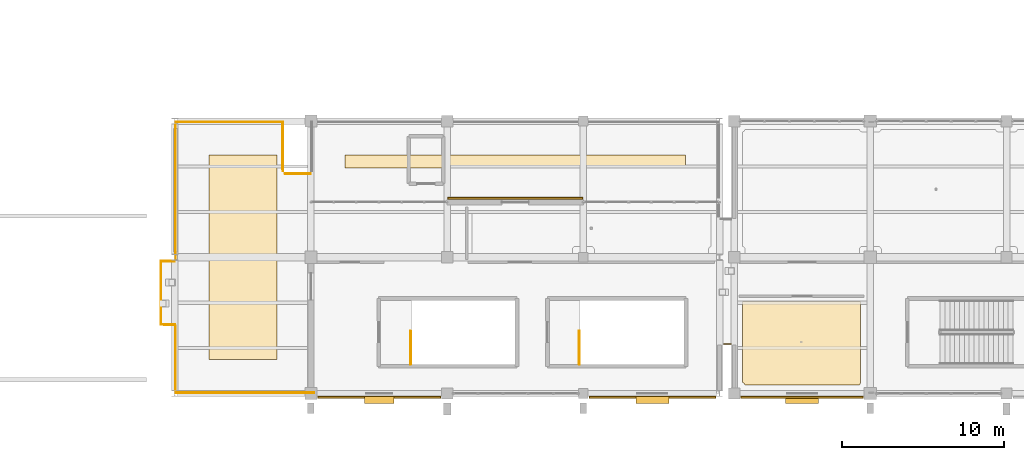
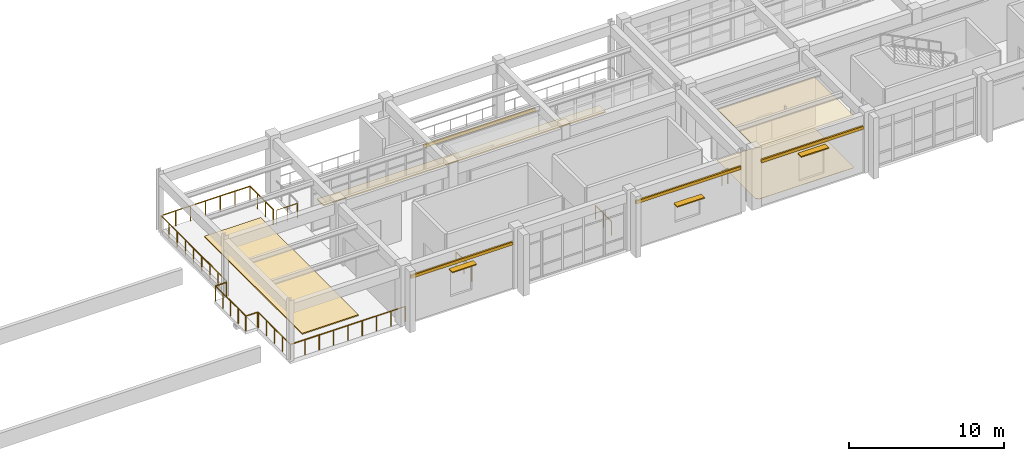
# One storey, part 85 of 98: 12 railings, 8 coverings, 3 shading devices.
"""IFC4 building model written with IfcOpenShell, lengths in metres."""

from ifc_helpers import new_model, si_unit, direction, frame, origin, origin_2d, place, context, subcontext, project, spatial, polyline, rectangle, circle, outline, extrude, material, layer, layer_set, type_object, element, save


model = new_model("IFC4")

# Units and contexts
model_context = context("Model", 3, precision=1e-05, world=origin(), true_north=direction((0.0, 1.0)))
body_context = subcontext(model_context, "Body", "Model", "MODEL_VIEW")
ifc_project = project(units=[si_unit("LENGTHUNIT", "METRE"), si_unit("AREAUNIT", "SQUARE_METRE"), si_unit("VOLUMEUNIT", "CUBIC_METRE"), si_unit("PLANEANGLEUNIT", "RADIAN"), si_unit("MASSUNIT", "GRAM", prefix="KILO")], contexts=[model_context])

# Site, building, storey
site_placement = place(None, origin())
site = spatial("IfcSite", under=ifc_project, at=site_placement, CompositionType="ELEMENT")
building_placement = place(site_placement, origin())
building = spatial("IfcBuilding", under=site, at=building_placement, Name="Canglan Escarpment Cableway Terminal", CompositionType="ELEMENT")
storey_placement = place(building_placement, frame((0.0, 0.0, 9.60009765625)))
storey = spatial("IfcBuildingStorey", under=building, at=storey_placement, Name="L02", CompositionType="ELEMENT", Elevation=9.60009765625)

# Coverings
ifc_material_1 = material(Name="Moisture-resistant acoustic gypsum ceiling", Category="gypsum")
ifc_layer_1 = layer(ifc_material_1, 0.030029296875, Name="Moisture-resistant acoustic gypsum ceiling")
ifc_layer_set_1 = layer_set([ifc_layer_1], Name="Moisture-resistant acoustic gypsum ceiling")
covering_type_1 = type_object("IfcCoveringType", Name="COV-CEIL-GYPSUM-30", PredefinedType="CEILING", material=ifc_layer_set_1)
covering_1_placement = place(storey_placement, frame((0.0, 0.0, 4.02001953125)))
element("IfcCovering", 1, at=covering_1_placement, inside=storey, type_object=covering_type_1, Name="Botanical Herbarium Alcove suspended acoustic ceiling", PredefinedType="CEILING", context=body_context, shape_type="SweptSolid", body=[
    extrude(outline(polyline([(77.533203125, 8.667236328125), (77.531494140625, 8.66796875), (77.52978515625, 8.668701171875), (77.5283203125, 8.669921875), (77.52685546875, 8.6708984375), (77.525390625, 8.67236328125), (77.524169921875, 8.673583984375), (77.523193359375, 8.67529296875), (77.522216796875, 8.677001953125), (77.521484375, 8.6787109375), (77.520751953125, 8.680419921875), (77.5205078125, 8.68212890625), (77.52001953125, 8.68408203125), (77.52001953125, 8.68603515625), (77.52001953125, 13.659912109375), (77.52001953125, 13.662109375), (77.5205078125, 13.663818359375), (77.52099609375, 13.665771484375), (77.521484375, 13.667724609375), (77.5224609375, 13.66943359375), (77.5234375, 13.671142578125), (77.5244140625, 13.672607421875), (77.52587890625, 13.674072265625), (77.52734375, 13.675537109375), (77.52880859375, 13.676513671875), (77.530517578125, 13.677490234375), (77.5322265625, 13.678466796875), (77.5341796875, 13.67919921875), (77.5361328125, 13.6796875), (77.5380859375, 13.679931640625), (77.5400390625, 13.679931640625), (84.760009765625, 13.679931640625), (84.761962890625, 13.679931640625), (84.763916015625, 13.6796875), (84.765869140625, 13.67919921875), (84.767578125, 13.678466796875), (84.769287109375, 13.677490234375), (84.77099609375, 13.676513671875), (84.772705078125, 13.675537109375), (84.774169921875, 13.674072265625), (84.775390625, 13.672607421875), (84.776611328125, 13.671142578125), (84.777587890625, 13.66943359375), (84.778564453125, 13.667724609375), (84.779052734375, 13.665771484375), (84.779541015625, 13.663818359375), (84.77978515625, 13.662109375), (84.780029296875, 13.659912109375), (84.780029296875, 8.618408203125), (84.77978515625, 8.6162109375), (84.779541015625, 8.6142578125), (84.779052734375, 8.6123046875), (84.7783203125, 8.610107421875), (84.77734375, 8.6083984375), (84.776123046875, 8.606689453125), (84.77490234375, 8.60498046875), (84.770263671875, 8.599853515625), (84.76953125, 8.59912109375), (84.75732421875, 8.58251953125), (84.7568359375, 8.581787109375), (84.74609375, 8.564208984375), (84.745849609375, 8.563232421875), (84.737060546875, 8.544677734375), (84.736572265625, 8.543701171875), (84.73291015625, 8.533203125), (84.732177734375, 8.531494140625), (84.731201171875, 8.52978515625), (84.730224609375, 8.5283203125), (84.72900390625, 8.52685546875), (84.727783203125, 8.525390625), (84.726318359375, 8.524169921875), (84.724609375, 8.523193359375), (84.72314453125, 8.522216796875), (84.721435546875, 8.521484375), (84.719482421875, 8.520751953125), (84.7177734375, 8.5205078125), (84.7158203125, 8.52001953125), (84.714111328125, 8.52001953125), (77.68603515625, 8.52001953125), (77.68408203125, 8.52001953125), (77.68212890625, 8.5205078125), (77.680419921875, 8.520751953125), (77.6787109375, 8.521484375), (77.677001953125, 8.522216796875), (77.67529296875, 8.523193359375), (77.673583984375, 8.524169921875), (77.67236328125, 8.525390625), (77.6708984375, 8.52685546875), (77.669921875, 8.5283203125), (77.668701171875, 8.52978515625), (77.66796875, 8.531494140625), (77.667236328125, 8.533203125), (77.663330078125, 8.543701171875), (77.6630859375, 8.544677734375), (77.654296875, 8.563232421875), (77.65380859375, 8.564208984375), (77.643310546875, 8.581787109375), (77.642578125, 8.58251953125), (77.63037109375, 8.59912109375), (77.629638671875, 8.599853515625), (77.615966796875, 8.615234375), (77.615234375, 8.615966796875), (77.599853515625, 8.629638671875), (77.59912109375, 8.63037109375), (77.58251953125, 8.642578125), (77.581787109375, 8.643310546875), (77.564208984375, 8.65380859375), (77.563232421875, 8.654296875), (77.544677734375, 8.6630859375), (77.543701171875, 8.663330078125), (77.533203125, 8.667236328125)])), origin(), (0.0, 0.0, 1.0), 0.02978515625),
])
ifc_material_2 = material(Name="Carved classical limestone cornice", Category="masonry")
ifc_layer_2 = layer(ifc_material_2, 0.1201171875, Name="Carved classical limestone cornice")
ifc_layer_set_2 = layer_set([ifc_layer_2], Name="Carved classical limestone cornice")
covering_type_2 = type_object("IfcCoveringType", Name="COV-CORNICE-STONE", PredefinedType="CLADDING", material=ifc_layer_set_2)
covering_2_placement = place(storey_placement, frame((55.112548828125, 7.760009765625, 3.48486328125), z_axis=(0.0, 0.0, 1.0), x_axis=(1.0, 0.0, 0.0)))
element("IfcCovering", 2, at=covering_2_placement, inside=storey, type_object=covering_type_2, Name="Classical carved limestone cornice CL-01", PredefinedType="CLADDING", context=body_context, shape_type="SweptSolid", body=[
    extrude(rectangle(XDim=7.574951171875, YDim=0.1201171875, at=origin_2d()), origin(), (0.0, 0.0, 1.0), 0.239990234375),
])
covering_3_placement = place(storey_placement, frame((71.96240234375, 7.760009765625, 3.48486328125), z_axis=(0.0, 0.0, 1.0), x_axis=(1.0, 0.0, 0.0)))
element("IfcCovering", 3, at=covering_3_placement, inside=storey, type_object=covering_type_2, Name="Classical carved limestone cornice CL-01", PredefinedType="CLADDING", context=body_context, shape_type="SweptSolid", body=[
    extrude(rectangle(XDim=7.824951171875, YDim=0.1201171875, at=origin_2d()), origin(), (0.0, 0.0, 1.0), 0.239990234375),
])
covering_4_placement = place(storey_placement, frame((63.5, 20.0400390625, 3.4951171875), z_axis=(0.0, 0.0, 1.0), x_axis=(-1.0, 0.0, 0.0)))
element("IfcCovering", 4, at=covering_4_placement, inside=storey, type_object=covering_type_2, Name="Classical carved limestone cornice CL-01", PredefinedType="CLADDING", context=body_context, shape_type="SweptSolid", body=[
    extrude(rectangle(XDim=8.300048828125, YDim=0.1201171875, at=origin_2d()), origin(), (0.0, 0.0, 1.0), 0.239990234375),
])
covering_5_placement = place(storey_placement, frame((81.1875, 7.760009765625, 3.455078125), z_axis=(0.0, 0.0, 1.0), x_axis=(1.0, 0.0, 0.0)))
element("IfcCovering", 5, at=covering_5_placement, inside=storey, type_object=covering_type_2, Name="Classical carved limestone cornice CL-01", PredefinedType="CLADDING", context=body_context, shape_type="SweptSolid", body=[
    extrude(rectangle(XDim=7.574951171875, YDim=0.1201171875, at=origin_2d()), origin(), (0.0, 0.0, 1.0), 0.239990234375),
])
ifc_material_3 = material(Name="Polished mineral terrazzo flooring", Category="concrete")
ifc_layer_3 = layer(ifc_material_3, 0.02001953125, Name="Polished mineral terrazzo flooring")
ifc_layer_set_3 = layer_set([ifc_layer_3], Name="Polished mineral terrazzo flooring")
covering_type_3 = type_object("IfcCoveringType", Name="COV-FLR-TERRAZZO-20", PredefinedType="FLOORING", material=ifc_layer_set_3)
covering_6_placement = place(storey_placement, origin())
element("IfcCovering", 6, at=covering_6_placement, inside=storey, type_object=covering_type_3, Name="Botanical Herbarium Alcove stone floor finish", PredefinedType="FLOORING", context=body_context, shape_type="SweptSolid", body=[
    extrude(outline(polyline([(77.533203125, 8.667236328125), (77.531494140625, 8.66796875), (77.52978515625, 8.668701171875), (77.5283203125, 8.669921875), (77.52685546875, 8.6708984375), (77.525390625, 8.67236328125), (77.524169921875, 8.673583984375), (77.523193359375, 8.67529296875), (77.522216796875, 8.677001953125), (77.521484375, 8.6787109375), (77.520751953125, 8.680419921875), (77.5205078125, 8.68212890625), (77.52001953125, 8.68408203125), (77.52001953125, 8.68603515625), (77.52001953125, 13.659912109375), (77.52001953125, 13.662109375), (77.5205078125, 13.663818359375), (77.52099609375, 13.665771484375), (77.521484375, 13.667724609375), (77.5224609375, 13.66943359375), (77.5234375, 13.671142578125), (77.5244140625, 13.672607421875), (77.52587890625, 13.674072265625), (77.52734375, 13.675537109375), (77.52880859375, 13.676513671875), (77.530517578125, 13.677490234375), (77.5322265625, 13.678466796875), (77.5341796875, 13.67919921875), (77.5361328125, 13.6796875), (77.5380859375, 13.679931640625), (77.5400390625, 13.679931640625), (84.760009765625, 13.679931640625), (84.761962890625, 13.679931640625), (84.763916015625, 13.6796875), (84.765869140625, 13.67919921875), (84.767578125, 13.678466796875), (84.769287109375, 13.677490234375), (84.77099609375, 13.676513671875), (84.772705078125, 13.675537109375), (84.774169921875, 13.674072265625), (84.775390625, 13.672607421875), (84.776611328125, 13.671142578125), (84.777587890625, 13.66943359375), (84.778564453125, 13.667724609375), (84.779052734375, 13.665771484375), (84.779541015625, 13.663818359375), (84.77978515625, 13.662109375), (84.780029296875, 13.659912109375), (84.780029296875, 8.618408203125), (84.77978515625, 8.6162109375), (84.779541015625, 8.6142578125), (84.779052734375, 8.6123046875), (84.7783203125, 8.610107421875), (84.77734375, 8.6083984375), (84.776123046875, 8.606689453125), (84.77490234375, 8.60498046875), (84.770263671875, 8.599853515625), (84.76953125, 8.59912109375), (84.75732421875, 8.58251953125), (84.7568359375, 8.581787109375), (84.74609375, 8.564208984375), (84.745849609375, 8.563232421875), (84.737060546875, 8.544677734375), (84.736572265625, 8.543701171875), (84.73291015625, 8.533203125), (84.732177734375, 8.531494140625), (84.731201171875, 8.52978515625), (84.730224609375, 8.5283203125), (84.72900390625, 8.52685546875), (84.727783203125, 8.525390625), (84.726318359375, 8.524169921875), (84.724609375, 8.523193359375), (84.72314453125, 8.522216796875), (84.721435546875, 8.521484375), (84.719482421875, 8.520751953125), (84.7177734375, 8.5205078125), (84.7158203125, 8.52001953125), (84.714111328125, 8.52001953125), (77.68603515625, 8.52001953125), (77.68408203125, 8.52001953125), (77.68212890625, 8.5205078125), (77.680419921875, 8.520751953125), (77.6787109375, 8.521484375), (77.677001953125, 8.522216796875), (77.67529296875, 8.523193359375), (77.673583984375, 8.524169921875), (77.67236328125, 8.525390625), (77.6708984375, 8.52685546875), (77.669921875, 8.5283203125), (77.668701171875, 8.52978515625), (77.66796875, 8.531494140625), (77.667236328125, 8.533203125), (77.663330078125, 8.543701171875), (77.6630859375, 8.544677734375), (77.654296875, 8.563232421875), (77.65380859375, 8.564208984375), (77.643310546875, 8.581787109375), (77.642578125, 8.58251953125), (77.63037109375, 8.59912109375), (77.629638671875, 8.599853515625), (77.615966796875, 8.615234375), (77.615234375, 8.615966796875), (77.599853515625, 8.629638671875), (77.59912109375, 8.63037109375), (77.58251953125, 8.642578125), (77.581787109375, 8.643310546875), (77.564208984375, 8.65380859375), (77.563232421875, 8.654296875), (77.544677734375, 8.6630859375), (77.543701171875, 8.663330078125), (77.533203125, 8.667236328125)])), origin(), (0.0, 0.0, 1.0), 0.02001953125),
])
ifc_material_4 = material(Name="Planted extensive sedum green roof assembly", Category="earth")
ifc_layer_4 = layer(ifc_material_4, 0.090087890625, Name="Planted extensive sedum green roof assembly")
ifc_layer_set_4 = layer_set([ifc_layer_4], Name="Planted extensive sedum green roof assembly")
covering_type_4 = type_object("IfcCoveringType", Name="COV-ROOF-GREEN", PredefinedType="ROOFING", material=ifc_layer_set_4)
covering_7_placement = place(storey_placement, frame((46.699951171875, 16.39990234375, 0.0), z_axis=(0.0, 0.0, 1.0), x_axis=(1.0, 0.0, 0.0)))
element("IfcCovering", 7, at=covering_7_placement, inside=storey, type_object=covering_type_4, Name="Planted extensive sedum green roof garden RF-G1", PredefinedType="ROOFING", context=body_context, shape_type="SweptSolid", body=[
    extrude(rectangle(XDim=4.199951171875, YDim=12.60009765625, at=origin_2d()), origin(), (0.0, 0.0, 1.0), 0.090087890625),
])
covering_8_placement = place(storey_placement, frame((63.5, 22.300048828125, 0.0), z_axis=(0.0, 0.0, 1.0), x_axis=(1.0, 0.0, 0.0)))
element("IfcCovering", 8, at=covering_8_placement, inside=storey, type_object=covering_type_4, Name="Planted extensive sedum green roof garden RF-G1", PredefinedType="ROOFING", context=body_context, shape_type="SweptSolid", body=[
    extrude(rectangle(XDim=21.0, YDim=0.800048828125, at=origin_2d()), origin(), (0.0, 0.0, 1.0), 0.090087890625),
])

# Railings
ifc_material_5 = material(Name="Carved limestone and anodized bronze balustrade", Category="masonry")
railing_type_1 = type_object("IfcRailingType", Name="RL-EXT-BALUSTRADE-1200", PredefinedType="BALUSTRADE", material=ifc_material_5)
railing_1_placement = place(storey_placement, frame((41.650146484375, 12.25, 0.0)))
element("IfcRailing", 9, at=railing_1_placement, inside=storey, type_object=railing_type_1, Name="Classical terrace balustrade guard GD-01 (L02)", PredefinedType="BALUSTRADE", context=body_context, shape_type="SweptSolid", body=[
    extrude(circle(Radius=0.02392578125, at=origin_2d()), frame((0.0, 0.0, 1.17578125), z_axis=(-6.2633095e-05, 0.999999998039, 0.0), x_axis=(-0.999999998039, -6.2633095e-05, 0.0)), (0.0, 0.0, 1.0), 3.89794921875),
    extrude(circle(Radius=0.02099609375, at=origin_2d()), origin(), (0.0, 0.0, 1.0), 1.15185546875),
    extrude(circle(Radius=0.02099609375, at=origin_2d()), frame((0.0, 0.974609375, 0.0)), (0.0, 0.0, 1.0), 1.15185546875),
    extrude(circle(Radius=0.02099609375, at=origin_2d()), frame((0.0, 1.948974609375, 0.0)), (0.0, 0.0, 1.0), 1.15185546875),
    extrude(circle(Radius=0.02099609375, at=origin_2d()), frame((-0.000244140625, 2.92333984375, 0.0)), (0.0, 0.0, 1.0), 1.15185546875),
    extrude(circle(Radius=0.02099609375, at=origin_2d()), frame((-0.000244140625, 3.89794921875, 0.0)), (0.0, 0.0, 1.0), 1.15185546875),
])
railing_2_placement = place(storey_placement, frame((41.64990234375, 16.14794921875, 0.0)))
element("IfcRailing", 10, at=railing_2_placement, inside=storey, type_object=railing_type_1, Name="Classical terrace balustrade guard GD-01 (L02)", PredefinedType="BALUSTRADE", context=body_context, shape_type="SweptSolid", body=[
    extrude(circle(Radius=0.02392578125, at=origin_2d()), frame((0.0, 0.0, 1.17578125), z_axis=(0.999997163857, 0.002381654454, 0.0), x_axis=(-0.002381654454, 0.999997163857, 0.0)), (0.0, 0.0, 1.0), 0.820068359375),
    extrude(circle(Radius=0.02099609375, at=origin_2d()), origin(), (0.0, 0.0, 1.0), 1.15185546875),
    extrude(circle(Radius=0.02099609375, at=origin_2d()), frame((0.820068359375, 0.001953125, 0.0)), (0.0, 0.0, 1.0), 1.15185546875),
])
railing_3_placement = place(storey_placement, frame((42.550048828125, 16.330078125, 0.0)))
element("IfcRailing", 11, at=railing_3_placement, inside=storey, type_object=railing_type_1, Name="Classical terrace balustrade guard GD-01 (L02)", PredefinedType="BALUSTRADE", context=body_context, shape_type="SweptSolid", body=[
    extrude(circle(Radius=0.02392578125, at=origin_2d()), frame((0.0, 0.0, 1.17578125), z_axis=(0.0, 1.0, 0.0), x_axis=(-1.0, 0.0, 0.0)), (0.0, 0.0, 1.0), 8.41796875),
    extrude(circle(Radius=0.02099609375, at=origin_2d()), origin(), (0.0, 0.0, 1.0), 1.15185546875),
    extrude(circle(Radius=0.02099609375, at=origin_2d()), frame((0.0, 1.05224609375, 0.0)), (0.0, 0.0, 1.0), 1.15185546875),
    extrude(circle(Radius=0.02099609375, at=origin_2d()), frame((0.0, 2.1044921875, 0.0)), (0.0, 0.0, 1.0), 1.15185546875),
    extrude(circle(Radius=0.02099609375, at=origin_2d()), frame((0.0, 3.15673828125, 0.0)), (0.0, 0.0, 1.0), 1.15185546875),
    extrude(circle(Radius=0.02099609375, at=origin_2d()), frame((0.0, 4.208984375, 0.0)), (0.0, 0.0, 1.0), 1.15185546875),
    extrude(circle(Radius=0.02099609375, at=origin_2d()), frame((0.0, 5.26123046875, 0.0)), (0.0, 0.0, 1.0), 1.15185546875),
    extrude(circle(Radius=0.02099609375, at=origin_2d()), frame((0.0, 6.3134765625, 0.0)), (0.0, 0.0, 1.0), 1.15185546875),
    extrude(circle(Radius=0.02099609375, at=origin_2d()), frame((0.0, 7.36572265625, 0.0)), (0.0, 0.0, 1.0), 1.15185546875),
    extrude(circle(Radius=0.02099609375, at=origin_2d()), frame((0.0, 8.41796875, 0.0)), (0.0, 0.0, 1.0), 1.15185546875),
])
railing_4_placement = place(storey_placement, frame((42.550048828125, 24.748046875, 0.0)))
element("IfcRailing", 12, at=railing_4_placement, inside=storey, type_object=railing_type_1, Name="Classical terrace balustrade guard GD-01 (L02)", PredefinedType="BALUSTRADE", context=body_context, shape_type="SweptSolid", body=[
    extrude(circle(Radius=0.02392578125, at=origin_2d()), frame((0.0, 0.0, 1.17578125), z_axis=(0.99999995645, 0.000295126707, 0.0), x_axis=(-0.000295126707, 0.99999995645, 0.0)), (0.0, 0.0, 1.0), 6.617919921875),
    extrude(circle(Radius=0.02099609375, at=origin_2d()), origin(), (0.0, 0.0, 1.0), 1.15185546875),
    extrude(circle(Radius=0.02099609375, at=origin_2d()), frame((1.10302734375, 0.000244140625, 0.0)), (0.0, 0.0, 1.0), 1.15185546875),
    extrude(circle(Radius=0.02099609375, at=origin_2d()), frame((2.2060546875, 0.000732421875, 0.0)), (0.0, 0.0, 1.0), 1.15185546875),
    extrude(circle(Radius=0.02099609375, at=origin_2d()), frame((3.30908203125, 0.0009765625, 0.0)), (0.0, 0.0, 1.0), 1.15185546875),
    extrude(circle(Radius=0.02099609375, at=origin_2d()), frame((4.411865234375, 0.001220703125, 0.0)), (0.0, 0.0, 1.0), 1.15185546875),
    extrude(circle(Radius=0.02099609375, at=origin_2d()), frame((5.514892578125, 0.001708984375, 0.0)), (0.0, 0.0, 1.0), 1.15185546875),
    extrude(circle(Radius=0.02099609375, at=origin_2d()), frame((6.617919921875, 0.001953125, 0.0)), (0.0, 0.0, 1.0), 1.15185546875),
])
railing_5_placement = place(storey_placement, frame((49.16796875, 24.75, 0.0)))
element("IfcRailing", 13, at=railing_5_placement, inside=storey, type_object=railing_type_1, Name="Classical terrace balustrade guard GD-01 (L02)", PredefinedType="BALUSTRADE", context=body_context, shape_type="SweptSolid", body=[
    extrude(circle(Radius=0.02392578125, at=origin_2d()), frame((0.0, 0.0, 1.17578125), z_axis=(0.000646725815, -0.999999790873, 0.0), x_axis=(0.999999790873, 0.000646725815, 0.0)), (0.0, 0.0, 1.0), 3.02001953125),
    extrude(circle(Radius=0.02099609375, at=origin_2d()), origin(), (0.0, 0.0, 1.0), 1.15185546875),
    extrude(circle(Radius=0.02099609375, at=origin_2d()), frame((0.000732421875, -1.006591796875, 0.0)), (0.0, 0.0, 1.0), 1.15185546875),
    extrude(circle(Radius=0.02099609375, at=origin_2d()), frame((0.001220703125, -2.013427734375, 0.0)), (0.0, 0.0, 1.0), 1.15185546875),
    extrude(circle(Radius=0.02099609375, at=origin_2d()), frame((0.001953125, -3.02001953125, 0.0)), (0.0, 0.0, 1.0), 1.15185546875),
])
railing_6_placement = place(storey_placement, frame((49.3193359375, 21.55615234375, 0.0)))
element("IfcRailing", 14, at=railing_6_placement, inside=storey, type_object=railing_type_1, Name="Classical terrace balustrade guard GD-01 (L02)", PredefinedType="BALUSTRADE", context=body_context, shape_type="SweptSolid", body=[
    extrude(circle(Radius=0.02392578125, at=origin_2d()), frame((0.0, 0.0, 1.17578125), z_axis=(0.999992254954, -0.003935737779, 0.0), x_axis=(0.003935737779, 0.999992254954, 0.0)), (0.0, 0.0, 1.0), 1.55078125),
    extrude(circle(Radius=0.02099609375, at=origin_2d()), origin(), (0.0, 0.0, 1.0), 1.15185546875),
    extrude(circle(Radius=0.02099609375, at=origin_2d()), frame((0.775390625, -0.0029296875, 0.0)), (0.0, 0.0, 1.0), 1.15185546875),
    extrude(circle(Radius=0.02099609375, at=origin_2d()), frame((1.55078125, -0.006103515625, 0.0)), (0.0, 0.0, 1.0), 1.15185546875),
])
railing_7_placement = place(storey_placement, frame((76.81005859375, 11.050048828125, 0.0)))
element("IfcRailing", 15, at=railing_7_placement, inside=storey, type_object=railing_type_1, Name="Classical terrace balustrade guard GD-01 (L02)", PredefinedType="BALUSTRADE", context=body_context, shape_type="SweptSolid", body=[
    extrude(circle(Radius=0.02392578125, at=origin_2d()), frame((0.0, 0.0, 1.17578125), z_axis=(-1.0, 0.0, 0.0), x_axis=(0.0, -1.0, 0.0)), (0.0, 0.0, 1.0), 0.420166015625),
    extrude(circle(Radius=0.02099609375, at=origin_2d()), origin(), (0.0, 0.0, 1.0), 1.15185546875),
    extrude(circle(Radius=0.02099609375, at=origin_2d()), frame((-0.420166015625, 0.0, 0.0)), (0.0, 0.0, 1.0), 1.15185546875),
])
railing_8_placement = place(storey_placement, frame((51.0849609375, 8.050048828125, 0.0)))
element("IfcRailing", 16, at=railing_8_placement, inside=storey, type_object=railing_type_1, Name="Classical terrace balustrade guard GD-01 (L02)", PredefinedType="BALUSTRADE", context=body_context, shape_type="SweptSolid", body=[
    extrude(circle(Radius=0.02392578125, at=origin_2d()), frame((0.0, 0.0, 1.17578125), z_axis=(-1.0, 0.0, 0.0), x_axis=(0.0, -1.0, 0.0)), (0.0, 0.0, 1.0), 8.532958984375),
    extrude(circle(Radius=0.02099609375, at=origin_2d()), origin(), (0.0, 0.0, 1.0), 1.15185546875),
    extrude(circle(Radius=0.02099609375, at=origin_2d()), frame((-1.066650390625, 0.0, 0.0)), (0.0, 0.0, 1.0), 1.15185546875),
    extrude(circle(Radius=0.02099609375, at=origin_2d()), frame((-2.13330078125, 0.0, 0.0)), (0.0, 0.0, 1.0), 1.15185546875),
    extrude(circle(Radius=0.02099609375, at=origin_2d()), frame((-3.199951171875, 0.0, 0.0)), (0.0, 0.0, 1.0), 1.15185546875),
    extrude(circle(Radius=0.02099609375, at=origin_2d()), frame((-4.2666015625, 0.0, 0.0)), (0.0, 0.0, 1.0), 1.15185546875),
    extrude(circle(Radius=0.02099609375, at=origin_2d()), frame((-5.3330078125, 0.0, 0.0)), (0.0, 0.0, 1.0), 1.15185546875),
    extrude(circle(Radius=0.02099609375, at=origin_2d()), frame((-6.399658203125, 0.0, 0.0)), (0.0, 0.0, 1.0), 1.15185546875),
    extrude(circle(Radius=0.02099609375, at=origin_2d()), frame((-7.46630859375, 0.0, 0.0)), (0.0, 0.0, 1.0), 1.15185546875),
    extrude(circle(Radius=0.02099609375, at=origin_2d()), frame((-8.532958984375, 0.0, 0.0)), (0.0, 0.0, 1.0), 1.15185546875),
])
railing_9_placement = place(storey_placement, frame((42.552001953125, 8.050048828125, 0.0)))
element("IfcRailing", 17, at=railing_9_placement, inside=storey, type_object=railing_type_1, Name="Classical terrace balustrade guard GD-01 (L02)", PredefinedType="BALUSTRADE", context=body_context, shape_type="SweptSolid", body=[
    extrude(circle(Radius=0.02392578125, at=origin_2d()), frame((0.0, 0.0, 1.17578125), z_axis=(-0.000474074021, 0.999999887627, 0.0), x_axis=(-0.999999887627, -0.000474074021, 0.0)), (0.0, 0.0, 1.0), 4.119873046875),
    extrude(circle(Radius=0.02099609375, at=origin_2d()), origin(), (0.0, 0.0, 1.0), 1.15185546875),
    extrude(circle(Radius=0.02099609375, at=origin_2d()), frame((-0.00048828125, 1.030029296875, 0.0)), (0.0, 0.0, 1.0), 1.15185546875),
    extrude(circle(Radius=0.02099609375, at=origin_2d()), frame((-0.0009765625, 2.06005859375, 0.0)), (0.0, 0.0, 1.0), 1.15185546875),
    extrude(circle(Radius=0.02099609375, at=origin_2d()), frame((-0.00146484375, 3.08984375, 0.0)), (0.0, 0.0, 1.0), 1.15185546875),
    extrude(circle(Radius=0.02099609375, at=origin_2d()), frame((-0.001953125, 4.119873046875, 0.0)), (0.0, 0.0, 1.0), 1.15185546875),
])
railing_10_placement = place(storey_placement, frame((42.5078125, 12.240478515625, 0.0)))
element("IfcRailing", 18, at=railing_10_placement, inside=storey, type_object=railing_type_1, Name="Classical terrace balustrade guard GD-01 (L02)", PredefinedType="BALUSTRADE", context=body_context, shape_type="SweptSolid", body=[
    extrude(circle(Radius=0.02392578125, at=origin_2d()), frame((0.0, 0.0, 1.17578125), z_axis=(-0.999938101112, 0.011126272737, 0.0), x_axis=(-0.011126272737, -0.999938101112, 0.0)), (0.0, 0.0, 1.0), 0.855712890625),
    extrude(circle(Radius=0.02099609375, at=origin_2d()), origin(), (0.0, 0.0, 1.0), 1.15185546875),
    extrude(circle(Radius=0.02099609375, at=origin_2d()), frame((-0.855712890625, 0.009521484375, 0.0)), (0.0, 0.0, 1.0), 1.15185546875),
])
ifc_material_6 = material(Name="Powder-coated steel stair balustrade", Category="steel")
railing_type_2 = type_object("IfcRailingType", Name="RL-STR-GUARD-1100", PredefinedType="BALUSTRADE", material=ifc_material_6)
for number, where, name in (
    (19, (57.050048828125, 9.800048828125, 0.0), "L02 ST-04 top well guard 1"),
    (20, (67.449951171875, 9.800048828125, 0.0), "L02 ST-05 top well guard 1"),
):
    element("IfcRailing", number, at=place(storey_placement, frame(where)), inside=storey, type_object=railing_type_2, Name=name, PredefinedType="BALUSTRADE", context=body_context, shape_type="SweptSolid", body=[
        extrude(circle(Radius=0.02392578125, at=origin_2d()), frame((0.0, 0.0, 1.076171875), z_axis=(0.0, 1.0, 0.0), x_axis=(-1.0, 0.0, 0.0)), (0.0, 0.0, 1.0), 2.050048828125),
        extrude(circle(Radius=0.02099609375, at=origin_2d()), origin(), (0.0, 0.0, 1.0), 1.052001953125),
        extrude(circle(Radius=0.02099609375, at=origin_2d()), frame((0.0, 1.02490234375, 0.0)), (0.0, 0.0, 1.0), 1.052001953125),
        extrude(circle(Radius=0.02099609375, at=origin_2d()), frame((0.0, 2.050048828125, 0.0)), (0.0, 0.0, 1.0), 1.052001953125),
    ])

# Shading devices
ifc_material_7 = material(Name="Anodized architectural bronze aluminium", Category="aluminium")
ifc_layer_5 = layer(ifc_material_7, 0.080078125, Name="Anodized architectural bronze aluminium")
ifc_layer_set_5 = layer_set([ifc_layer_5], Name="Anodized architectural bronze aluminium")
shading_device_type_1 = type_object("IfcShadingDeviceType", Name="SHD-BRONZE-LOUVRE-01", PredefinedType="JALOUSIE", material=ifc_layer_set_5)
shading_device_1_placement = place(storey_placement, frame((71.96240234375, 7.594970703125, 2.419921875), z_axis=(0.0, 0.0, 1.0), x_axis=(1.0, 0.0, 0.0)))
element("IfcShadingDevice", 21, at=shading_device_1_placement, inside=storey, type_object=shading_device_type_1, Name="Anodized bronze sun-shading brise-soleil SD-01", PredefinedType="JALOUSIE", context=body_context, shape_type="SweptSolid", body=[
    extrude(rectangle(XDim=2.050048828125, YDim=0.449951171875, at=origin_2d()), origin(), (0.0, 0.0, 1.0), 0.080078125),
])
ifc_layer_6 = layer(ifc_material_7, 0.10009765625, Name="Anodized architectural bronze aluminium")
ifc_layer_set_6 = layer_set([ifc_layer_6], Name="Anodized architectural bronze aluminium")
shading_device_type_2 = type_object("IfcShadingDeviceType", Name="SHD-BRONZE-LOUVRE-02", PredefinedType="JALOUSIE", material=ifc_layer_set_6)
shading_device_2_placement = place(storey_placement, frame((55.112548828125, 7.594970703125, 3.119873046875), z_axis=(0.0, 0.0, 1.0), x_axis=(1.0, 0.0, 0.0)))
element("IfcShadingDevice", 22, at=shading_device_2_placement, inside=storey, type_object=shading_device_type_2, Name="Anodized bronze sun-shading brise-soleil SD-01", PredefinedType="JALOUSIE", context=body_context, shape_type="SweptSolid", body=[
    extrude(rectangle(XDim=1.800048828125, YDim=0.449951171875, at=origin_2d()), origin(), (0.0, 0.0, 1.0), 0.080078125),
])
shading_device_3_placement = place(storey_placement, frame((81.1875, 7.594970703125, 3.119873046875), z_axis=(0.0, 0.0, 1.0), x_axis=(1.0, 0.0, 0.0)))
element("IfcShadingDevice", 23, at=shading_device_3_placement, inside=storey, type_object=shading_device_type_2, Name="Anodized bronze sun-shading brise-soleil SD-01", PredefinedType="JALOUSIE", context=body_context, shape_type="SweptSolid", body=[
    extrude(rectangle(XDim=2.050048828125, YDim=0.449951171875, at=origin_2d()), origin(), (0.0, 0.0, 1.0), 0.080078125),
])

save(model, "model.ifc")
